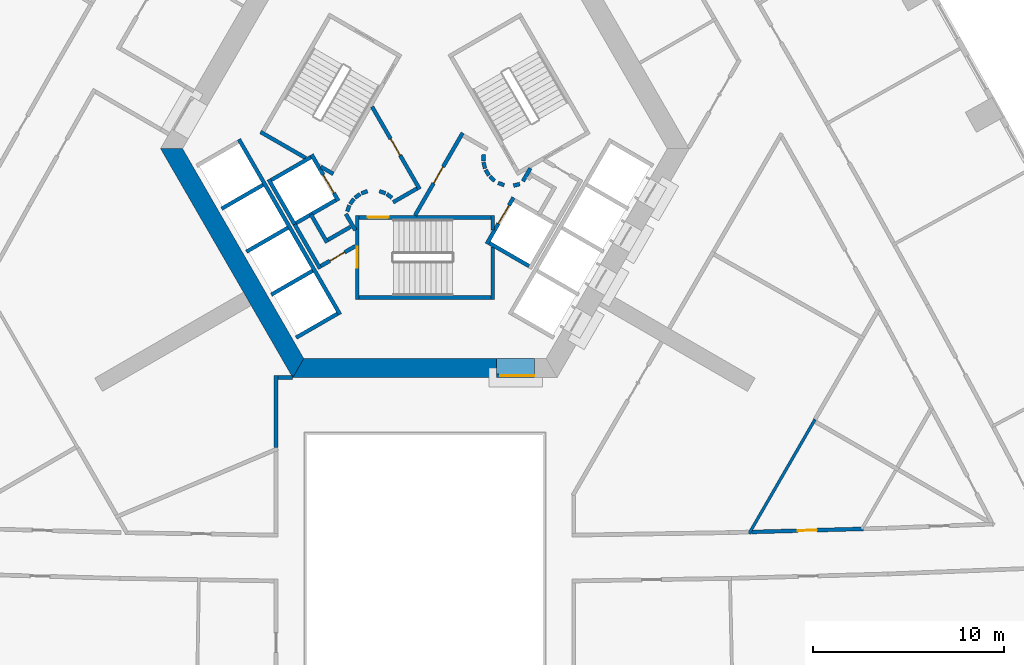
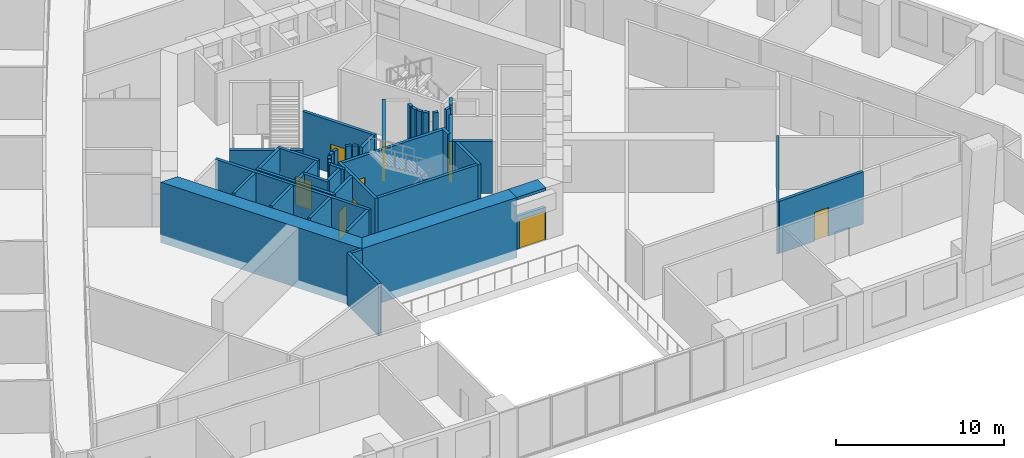
# One storey, part 6 of 15: 47 walls, 9 doors, 9 openings.
"""IFC4 building model written with IfcOpenShell, lengths in metres."""

from ifc_helpers import new_model, si_unit, direction, frame, frame_2d, origin, place, context, subcontext, project, spatial, polyline, rectangle, outline, extrude, material, layer, layer_set, type_object, element, fill, save


model = new_model("IFC4")

# Units and contexts
model_context = context("Model", 3, precision=1e-05, world=origin(), true_north=direction((0.0, 1.0)))
body_context = subcontext(model_context, "Body", "Model", "MODEL_VIEW")
ifc_project = project(units=[si_unit("LENGTHUNIT", "METRE"), si_unit("AREAUNIT", "SQUARE_METRE"), si_unit("VOLUMEUNIT", "CUBIC_METRE"), si_unit("PLANEANGLEUNIT", "RADIAN"), si_unit("MASSUNIT", "GRAM", prefix="KILO")], contexts=[model_context])

# Site, building, storey
site_placement = place(None, origin())
site = spatial("IfcSite", under=ifc_project, at=site_placement, CompositionType="ELEMENT")
building_placement = place(site_placement, origin())
building = spatial("IfcBuilding", under=site, at=building_placement, Name="Entoto Arch Interchange Tower", CompositionType="ELEMENT")
storey_placement = place(building_placement, frame((0.0, 0.0, 35.0)))
storey = spatial("IfcBuildingStorey", under=building, at=storey_placement, Name="L06", CompositionType="ELEMENT", Elevation=35.0)

# Wall, opening, door
ifc_material_1 = material(Name="Reinforced concrete C40/50", Category="concrete")
ifc_layer_1 = layer(ifc_material_1, 0.199951171875)
ifc_layer_set_1 = layer_set([ifc_layer_1], Name="Reinforced concrete C40/50")
wall_type_1 = type_object("IfcWallType", Name="CORE GAP INFILL WALL", PredefinedType="PARTITIONING", material=ifc_layer_set_1)
wall_1_placement = place(storey_placement, frame((3.75, -9.39990234375, 0.0), z_axis=(0.0, 0.0, 1.0), x_axis=(1.0, 0.0, 0.0)))
wall_1 = element("IfcWall", 1, at=wall_1_placement, inside=storey, type_object=wall_type_1, Name="wall:L06:gap1", PredefinedType="PARTITIONING", context=body_context, shape_type="SweptSolid", body=[
    extrude(rectangle(XDim=2.0, YDim=0.199951171875, at=frame_2d((1.0, 0.0))), origin(), (0.0, 0.0, 1.0), 2.39990234375),
])
opening_1_placement = place(wall_1_placement, frame((0.18994140625, 0.0, 0.0)))
opening_1 = element("IfcOpeningElement", 2, at=opening_1_placement, cuts=wall_1, Name="Opening L06-D91", PredefinedType="OPENING", context=body_context, shape_type="SweptSolid", body=[
    extrude(rectangle(XDim=1.800048828125, YDim=2.10009765625, at=frame_2d((0.89990234375, 1.050048828125))), frame((0.0, 0.10986328125, 0.0), z_axis=(0.0, -1.0, 0.0), x_axis=(1.0, 0.0, 0.0)), (0.0, 0.0, 1.0), 0.219970703125),
])
ifc_material_2 = material(Name="Fire-rated Steel S235 door and frame", Category="steel")
door_type_1 = type_object("IfcDoorType", Name="DOOR FD-18 1800x2100", OperationType="DOUBLE_DOOR_SINGLE_SWING", PredefinedType="DOOR", material=ifc_material_2)
door_1_placement = place(opening_1_placement, origin())
door_1 = element("IfcDoor", 3, at=door_1_placement, inside=storey, type_object=door_type_1, Name="door:L06:gap1", OperationType="DOUBLE_DOOR_SINGLE_SWING", OverallHeight=2.10009765625, OverallWidth=1.800048828125, PredefinedType="DOOR", context=body_context, shape_type="SweptSolid", body=[
    extrude(rectangle(XDim=1.800048828125, YDim=2.10009765625, at=frame_2d((0.89990234375, 1.050048828125))), frame((0.0, 0.02490234375, 0.0), z_axis=(0.0, -1.0, 0.0), x_axis=(1.0, 0.0, 0.0)), (0.0, 0.0, 1.0), 0.050048828125),
])
fill(opening_1, door_1)

# Walls
ifc_material_3 = material(Name="Concrete C60/75", Category="concrete")
ifc_layer_2 = layer(ifc_material_3, 1.0)
ifc_layer_set_2 = layer_set([ifc_layer_2], Name="Concrete C60/75")
wall_type_2 = type_object("IfcWallType", Name="Core wall 1000 C60/75", PredefinedType="SHEAR", material=ifc_layer_set_2)
wall_2_placement = place(storey_placement, frame((0.0, 0.0, -0.60009765625)))
element("IfcWall", 4, at=wall_2_placement, inside=storey, type_object=wall_type_2, Name="Core wall SW L06", PredefinedType="SHEAR", context=body_context, shape_type="SweptSolid", body=[
    extrude(outline(polyline([(-13.85595703125, 2.5), (-6.927978515625, -9.5), (-6.35107421875, -8.5), (-12.701904296875, 2.5), (-13.85595703125, 2.5)])), origin(), (0.0, 0.0, 1.0), 4.400146484375),
])
wall_3_placement = place(storey_placement, frame((0.0, 0.0, -0.60009765625)))
element("IfcWall", 5, at=wall_3_placement, inside=storey, type_object=wall_type_2, Name="Core wall S L06", PredefinedType="SHEAR", context=body_context, shape_type="SweptSolid", body=[
    extrude(outline(polyline([(3.75, -9.5), (3.75, -8.5), (-6.35107421875, -8.5), (-6.927978515625, -9.5), (3.75, -9.5)])), origin(), (0.0, 0.0, 1.0), 4.400146484375),
])
wall_4_placement = place(storey_placement, frame((0.0, 0.0, 3.60009765625)))
element("IfcWall", 6, at=wall_4_placement, inside=storey, type_object=wall_type_2, Name="Core wall lintel S L06", PredefinedType="SHEAR", context=body_context, shape_type="SweptSolid", body=[
    extrude(outline(polyline([(5.75, -9.5), (5.75, -8.5), (3.75, -8.5), (3.75, -9.5), (5.75, -9.5)])), origin(), (0.0, 0.0, 1.0), 0.199951171875),
])

# Wall, opening, door
ifc_material_4 = material(Name="Concrete C40/50", Category="concrete")
ifc_layer_3 = layer(ifc_material_4, 0.199951171875)
ifc_layer_set_3 = layer_set([ifc_layer_3], Name="Concrete C40/50")
wall_type_3 = type_object("IfcWallType", Name="LIFT SHAFT WALL 200", PredefinedType="STANDARD", material=ifc_layer_set_3)
wall_5_placement = place(storey_placement, frame((-5.93994140625, 2.18798828125, 0.0), z_axis=(0.0, 0.0, 1.0), x_axis=(0.49994636267, -0.866056369097, 0.0)))
wall_5 = element("IfcWall", 7, at=wall_5_placement, inside=storey, type_object=wall_type_3, Name="Shaft wall SW1 front", PredefinedType="STANDARD", context=body_context, shape_type="SweptSolid", body=[
    extrude(rectangle(XDim=2.800048828125, YDim=0.199951171875, at=frame_2d((1.39990234375, 0.0))), origin(), (0.0, 0.0, 1.0), 3.800048828125),
])
opening_2_placement = place(wall_5_placement, frame((1.22509765625, 0.0, 0.0)))
opening_2 = element("IfcOpeningElement", 8, at=opening_2_placement, cuts=wall_5, Name="Opening LD-FF2-L06", PredefinedType="OPENING", context=body_context, shape_type="SweptSolid", body=[
    extrude(rectangle(XDim=1.10009765625, YDim=2.10009765625, at=frame_2d((0.550048828125, 1.050048828125))), frame((0.0, 0.10986328125, 0.0), z_axis=(0.0, -1.0, 0.0), x_axis=(1.0, 0.0, 0.0)), (0.0, 0.0, 1.0), 0.219970703125),
])
ifc_material_5 = material(Name="Stainless steel 1.4301 panels", Category="steel")
door_type_2 = type_object("IfcDoorType", Name="LIFT LANDING DOOR LD1 1100x2100", OperationType="SLIDING_TO_LEFT", PredefinedType="DOOR", material=ifc_material_5)
door_2_placement = place(opening_2_placement, origin())
door_2 = element("IfcDoor", 9, at=door_2_placement, inside=storey, type_object=door_type_2, Name="Lift landing door FF2 L06", OperationType="SLIDING_TO_LEFT", OverallHeight=2.10009765625, OverallWidth=1.10009765625, PredefinedType="DOOR", context=body_context, shape_type="SweptSolid", body=[
    extrude(rectangle(XDim=1.10009765625, YDim=2.10009765625, at=frame_2d((0.550048828125, 1.050048828125))), frame((0.0, 0.02490234375, 0.0), z_axis=(0.0, -1.0, 0.0), x_axis=(1.0, 0.0, 0.0)), (0.0, 0.0, 1.0), 0.050048828125),
])
fill(opening_2, door_2)

# Walls
wall_6_placement = place(storey_placement, frame((-8.19189453125, 0.887939453125, 0.0), z_axis=(0.0, 0.0, 1.0), x_axis=(0.49994636267, -0.866056369097, 0.0)))
element("IfcWall", 10, at=wall_6_placement, inside=storey, type_object=wall_type_3, Name="Shaft wall SW1 back", PredefinedType="STANDARD", context=body_context, shape_type="SweptSolid", body=[
    extrude(rectangle(XDim=2.800048828125, YDim=0.199951171875, at=frame_2d((1.39990234375, 0.0))), origin(), (0.0, 0.0, 1.0), 3.800048828125),
])
for number, where, z_axis, x_axis, name in (
    (11, (-5.97705078125, 2.052001953125, 0.0), (0.0, 0.0, 1.0), (-0.865973769406, -0.500089422704, 0.0), "Shaft wall SW1 cross 1"),
    (12, (-4.677001953125, -0.199951171875, 0.0), (0.0, 0.0, 1.0), (-0.865973769406, -0.500089422704, 0.0), "Shaft wall SW1 cross 2"),
):
    element("IfcWall", number, at=place(storey_placement, frame(where, z_axis=z_axis, x_axis=x_axis)), inside=storey, type_object=wall_type_3, Name=name, PredefinedType="STANDARD", context=body_context, shape_type="SweptSolid", body=[
        extrude(rectangle(XDim=2.3994140625, YDim=0.199951171875, at=frame_2d((1.19970703125, 0.0))), origin(), (0.0, 0.0, 1.0), 3.800048828125),
    ])
wall_7_placement = place(storey_placement, frame((-9.7509765625, 2.989990234375, 0.0), z_axis=(0.0, 0.0, 1.0), x_axis=(0.50000090737, -0.866024879913, 0.0)))
element("IfcWall", 13, at=wall_7_placement, inside=storey, type_object=wall_type_3, Name="Shaft wall SW3 front", PredefinedType="STANDARD", context=body_context, shape_type="SweptSolid", body=[
    extrude(rectangle(XDim=10.60009765625, YDim=0.199951171875, at=frame_2d((5.300048828125, 0.0))), origin(), (0.0, 0.0, 1.0), 3.800048828125),
])
for number, where, z_axis, x_axis, name in (
    (14, (-8.488037109375, 0.60205078125, 0.0), (0.0, 0.0, 1.0), (-0.866022959057, -0.500004234368, 0.0), "Shaft wall SW3 cross 2"),
    (15, (-7.18798828125, -1.64990234375, 0.0), (0.0, 0.0, 1.0), (-0.866022959057, -0.500004234368, 0.0), "Shaft wall SW3 cross 3"),
    (16, (-5.887939453125, -3.902099609375, 0.0), (0.0, 0.0, 1.0), (-0.866022959057, -0.500004234368, 0.0), "Shaft wall SW3 cross 4"),
    (17, (-4.587890625, -6.153076171875, 0.0), (0.0, 0.0, 1.0), (-0.866022959057, -0.500004234368, 0.0), "Shaft wall SW3 cross 5"),
):
    element("IfcWall", number, at=place(storey_placement, frame(where, z_axis=z_axis, x_axis=x_axis)), inside=storey, type_object=wall_type_3, Name=name, PredefinedType="STANDARD", context=body_context, shape_type="SweptSolid", body=[
        extrude(rectangle(XDim=2.5, YDim=0.199951171875, at=frame_2d((1.25, 0.0))), origin(), (0.0, 0.0, 1.0), 3.800048828125),
    ])

# Wall, opening, door
wall_8_placement = place(storey_placement, frame((3.239990234375, -2.488037109375, 0.0), z_axis=(0.0, 0.0, 1.0), x_axis=(0.49994636267, 0.866056369097, 0.0)))
wall_8 = element("IfcWall", 18, at=wall_8_placement, inside=storey, type_object=wall_type_3, Name="Shaft wall SE1 front", PredefinedType="STANDARD", context=body_context, shape_type="SweptSolid", body=[
    extrude(rectangle(XDim=2.800048828125, YDim=0.199951171875, at=frame_2d((1.39990234375, 0.0))), origin(), (0.0, 0.0, 1.0), 3.800048828125),
])
opening_3_placement = place(wall_8_placement, frame((1.22509765625, 0.0, 0.0)))
opening_3 = element("IfcOpeningElement", 19, at=opening_3_placement, cuts=wall_8, Name="Opening LD-FF1-L06", PredefinedType="OPENING", context=body_context, shape_type="SweptSolid", body=[
    extrude(rectangle(XDim=1.10009765625, YDim=2.10009765625, at=frame_2d((0.550048828125, 1.050048828125))), frame((0.0, 0.10986328125, 0.0), z_axis=(0.0, -1.0, 0.0), x_axis=(1.0, 0.0, 0.0)), (0.0, 0.0, 1.0), 0.219970703125),
])
door_3_placement = place(opening_3_placement, origin())
door_3 = element("IfcDoor", 20, at=door_3_placement, inside=storey, type_object=door_type_2, Name="Lift landing door FF1 L06", OperationType="SLIDING_TO_LEFT", OverallHeight=2.10009765625, OverallWidth=1.10009765625, PredefinedType="DOOR", context=body_context, shape_type="SweptSolid", body=[
    extrude(rectangle(XDim=1.10009765625, YDim=2.10009765625, at=frame_2d((0.550048828125, 1.050048828125))), frame((0.0, 0.02490234375, 0.0), z_axis=(0.0, -1.0, 0.0), x_axis=(1.0, 0.0, 0.0)), (0.0, 0.0, 1.0), 0.050048828125),
])
fill(opening_3, door_3)

# Walls
wall_9_placement = place(storey_placement, frame((3.376953125, -2.451904296875, 0.0), z_axis=(0.0, 0.0, 1.0), x_axis=(0.865955154139, -0.50012165622, 0.0)))
element("IfcWall", 21, at=wall_9_placement, inside=storey, type_object=wall_type_3, Name="Shaft wall SE1 cross 1", PredefinedType="STANDARD", context=body_context, shape_type="SweptSolid", body=[
    extrude(rectangle(XDim=2.39990234375, YDim=0.199951171875, at=frame_2d((1.199951171875, 0.0))), origin(), (0.0, 0.0, 1.0), 3.800048828125),
])
ifc_material_6 = material(Name="Gypsum board partition on steel studs", Category="steel")
ifc_layer_4 = layer(ifc_material_6, 0.14990234375)
ifc_layer_set_4 = layer_set([ifc_layer_4], Name="Gypsum board partition on steel studs")
wall_type_4 = type_object("IfcWallType", Name="PARTITION 150", PredefinedType="PARTITIONING", material=ifc_layer_set_4)
wall_10_placement = place(storey_placement, frame((20.445068359375, -11.68798828125, 0.0), z_axis=(0.0, 0.0, 1.0), x_axis=(-0.500010633597, -0.866019264387, 0.0)))
element("IfcWall", 22, at=wall_10_placement, inside=storey, type_object=wall_type_4, Name="wall:L06:p114", PredefinedType="PARTITIONING", context=body_context, shape_type="SweptSolid", body=[
    extrude(rectangle(XDim=6.917724609375, YDim=0.14990234375, at=frame_2d((3.458984375, 0.0))), origin(), (0.0, 0.0, 1.0), 3.800048828125),
])

# Wall, opening, door
ifc_layer_5 = layer(ifc_material_6, 0.199951171875)
ifc_layer_set_5 = layer_set([ifc_layer_5], Name="Gypsum board partition on steel studs")
wall_type_5 = type_object("IfcWallType", Name="PARTITION 200", PredefinedType="PARTITIONING", material=ifc_layer_set_5)
wall_11_placement = place(storey_placement, frame((17.111083984375, -17.591064453125, 0.0), z_axis=(0.0, 0.0, 1.0), x_axis=(0.99960470841, 0.028114532261, 0.0)))
wall_11 = element("IfcWall", 23, at=wall_11_placement, inside=storey, type_object=wall_type_5, Name="wall:L06:p018", PredefinedType="PARTITIONING", context=body_context, shape_type="SweptSolid", body=[
    extrude(rectangle(XDim=5.870361328125, YDim=0.199951171875, at=frame_2d((2.93505859375, 0.0))), origin(), (0.0, 0.0, 1.0), 3.800048828125),
])
opening_4_placement = place(wall_11_placement, frame((2.43505859375, 0.0, 0.0)))
opening_4 = element("IfcOpeningElement", 24, at=opening_4_placement, cuts=wall_11, Name="Opening L06-D25", PredefinedType="OPENING", context=body_context, shape_type="SweptSolid", body=[
    extrude(rectangle(XDim=1.0, YDim=2.10009765625, at=frame_2d((0.5, 1.050048828125))), frame((0.0, 0.10986328125, 0.0), z_axis=(0.0, -1.0, 0.0), x_axis=(1.0, 0.0, 0.0)), (0.0, 0.0, 1.0), 0.219970703125),
])
ifc_material_7 = material(Name="Timber door leaf in Steel S235 frame", Category="steel")
door_type_3 = type_object("IfcDoorType", Name="DOOR DS-10 1000x2100", OperationType="SINGLE_SWING_LEFT", PredefinedType="DOOR", material=ifc_material_7)
door_4_placement = place(opening_4_placement, origin())
door_4 = element("IfcDoor", 25, at=door_4_placement, inside=storey, type_object=door_type_3, Name="door:L06:25", OperationType="SINGLE_SWING_LEFT", OverallHeight=2.10009765625, OverallWidth=1.0, PredefinedType="DOOR", context=body_context, shape_type="SweptSolid", body=[
    extrude(rectangle(XDim=1.0, YDim=2.10009765625, at=frame_2d((0.5, 1.050048828125))), frame((0.0, 0.02490234375, 0.0), z_axis=(0.0, -1.0, 0.0), x_axis=(1.0, 0.0, 0.0)), (0.0, 0.0, 1.0), 0.050048828125),
])
fill(opening_4, door_4)

# Walls
wall_12_placement = place(storey_placement, frame((5.135009765625, 0.79296875, 0.0), z_axis=(0.0, 0.0, 1.0), x_axis=(0.499526442893, 0.866298639529, 0.0)))
element("IfcWall", 26, at=wall_12_placement, inside=storey, type_object=wall_type_5, Name="wall:L06:p078", PredefinedType="PARTITIONING", context=body_context, shape_type="SweptSolid", body=[
    extrude(rectangle(XDim=0.790771484375, YDim=0.199951171875, at=frame_2d((0.3955078125, 0.0))), origin(), (0.0, 0.0, 1.0), 3.800048828125),
])
wall_13_placement = place(storey_placement, frame((-3.89990234375, -1.59912109375, 0.0), z_axis=(0.0, 0.0, 1.0), x_axis=(-0.865969445389, -0.500096910261, 0.0)))
element("IfcWall", 27, at=wall_13_placement, inside=storey, type_object=wall_type_5, Name="wall:L06:p079", PredefinedType="PARTITIONING", context=body_context, shape_type="SweptSolid", body=[
    extrude(rectangle(XDim=1.373291015625, YDim=0.199951171875, at=frame_2d((0.6865234375, 0.0))), origin(), (0.0, 0.0, 1.0), 3.800048828125),
])
wall_14_placement = place(storey_placement, frame((-5.1259765625, -2.422119140625, 0.0), z_axis=(0.0, 0.0, 1.0), x_axis=(-0.500062241894, 0.865989465428, 0.0)))
element("IfcWall", 28, at=wall_14_placement, inside=storey, type_object=wall_type_5, Name="wall:L06:p080", PredefinedType="PARTITIONING", context=body_context, shape_type="SweptSolid", body=[
    extrude(rectangle(XDim=1.699951171875, YDim=0.199951171875, at=frame_2d((0.85009765625, 0.0))), origin(), (0.0, 0.0, 1.0), 3.800048828125),
])

# Wall, opening, door
wall_15_placement = place(storey_placement, frame((-3.64990234375, -2.610107421875, 0.0), z_axis=(0.0, 0.0, 1.0), x_axis=(-0.866072462134, -0.499918483688, 0.0)))
wall_15 = element("IfcWall", 29, at=wall_15_placement, inside=storey, type_object=wall_type_5, Name="wall:L06:p081", PredefinedType="PARTITIONING", context=body_context, shape_type="SweptSolid", body=[
    extrude(rectangle(XDim=2.084228515625, YDim=0.199951171875, at=frame_2d((1.0419921875, 0.0))), origin(), (0.0, 0.0, 1.0), 3.800048828125),
])
opening_5_placement = place(wall_15_placement, frame((0.64208984375, 0.0, 0.0)))
opening_5 = element("IfcOpeningElement", 30, at=opening_5_placement, cuts=wall_15, Name="Opening L06-D41", PredefinedType="OPENING", context=body_context, shape_type="SweptSolid", body=[
    extrude(rectangle(XDim=0.89990234375, YDim=2.10009765625, at=frame_2d((0.449951171875, 1.050048828125))), frame((0.0, 0.10986328125, 0.0), z_axis=(0.0, -1.0, 0.0), x_axis=(1.0, 0.0, 0.0)), (0.0, 0.0, 1.0), 0.219970703125),
])
door_type_4 = type_object("IfcDoorType", Name="DOOR DS-09 900x2100", OperationType="SINGLE_SWING_LEFT", PredefinedType="DOOR", material=ifc_material_7)
door_5_placement = place(opening_5_placement, origin())
door_5 = element("IfcDoor", 31, at=door_5_placement, inside=storey, type_object=door_type_4, Name="door:L06:41", OperationType="SINGLE_SWING_LEFT", OverallHeight=2.10009765625, OverallWidth=0.89990234375, PredefinedType="DOOR", context=body_context, shape_type="SweptSolid", body=[
    extrude(rectangle(XDim=0.89990234375, YDim=2.10009765625, at=frame_2d((0.449951171875, 1.050048828125))), frame((0.0, 0.02490234375, 0.0), z_axis=(0.0, -1.0, 0.0), x_axis=(1.0, 0.0, 0.0)), (0.0, 0.0, 1.0), 0.050048828125),
])
fill(opening_5, door_5)

# Walls
wall_16_placement = place(storey_placement, frame((-5.491943359375, -3.7880859375, 0.0), z_axis=(0.0, 0.0, 1.0), x_axis=(-0.500008949224, 0.866020236886, 0.0)))
element("IfcWall", 32, at=wall_16_placement, inside=storey, type_object=wall_type_5, Name="wall:L06:p082", PredefinedType="PARTITIONING", context=body_context, shape_type="SweptSolid", body=[
    extrude(rectangle(XDim=2.68017578125, YDim=0.199951171875, at=frame_2d((1.340087890625, 0.0))), origin(), (0.0, 0.0, 1.0), 3.800048828125),
])
wall_17_placement = place(storey_placement, frame((-4.14501953125, -0.919921875, 0.0), z_axis=(0.0, 0.0, 1.0), x_axis=(0.499743786207, -0.866173278362, 0.0)))
element("IfcWall", 33, at=wall_17_placement, inside=storey, type_object=wall_type_5, Name="wall:L06:p083", PredefinedType="PARTITIONING", context=body_context, shape_type="SweptSolid", body=[
    extrude(rectangle(XDim=0.99072265625, YDim=0.199951171875, at=frame_2d((0.495361328125, 0.0))), origin(), (0.0, 0.0, 1.0), 3.800048828125),
])

# Wall, opening, door
wall_18_placement = place(storey_placement, frame((-0.52001953125, -1.0, 0.0), z_axis=(0.0, 0.0, 1.0), x_axis=(0.50011622646, 0.865958290007, 0.0)))
wall_18 = element("IfcWall", 34, at=wall_18_placement, inside=storey, type_object=wall_type_5, Name="wall:L06:p088", PredefinedType="PARTITIONING", context=body_context, shape_type="SweptSolid", body=[
    extrude(rectangle(XDim=4.990966796875, YDim=0.199951171875, at=frame_2d((2.49560546875, 0.0))), origin(), (0.0, 0.0, 1.0), 3.800048828125),
])
opening_6_placement = place(wall_18_placement, frame((1.945068359375, 0.0, 0.0)))
opening_6 = element("IfcOpeningElement", 35, at=opening_6_placement, cuts=wall_18, Name="Opening L06-D38", PredefinedType="OPENING", context=body_context, shape_type="SweptSolid", body=[
    extrude(rectangle(XDim=1.0, YDim=2.10009765625, at=frame_2d((0.5, 1.050048828125))), frame((0.0, 0.10986328125, 0.0), z_axis=(0.0, -1.0, 0.0), x_axis=(1.0, 0.0, 0.0)), (0.0, 0.0, 1.0), 0.219970703125),
])
door_type_5 = type_object("IfcDoorType", Name="DOOR FD-10 1000x2100", OperationType="SINGLE_SWING_LEFT", PredefinedType="DOOR", material=ifc_material_2)
door_6_placement = place(opening_6_placement, origin())
door_6 = element("IfcDoor", 36, at=door_6_placement, inside=storey, type_object=door_type_5, Name="door:L06:38", OperationType="SINGLE_SWING_LEFT", OverallHeight=2.10009765625, OverallWidth=1.0, PredefinedType="DOOR", context=body_context, shape_type="SweptSolid", body=[
    extrude(rectangle(XDim=1.0, YDim=2.10009765625, at=frame_2d((0.5, 1.050048828125))), frame((0.0, 0.02490234375, 0.0), z_axis=(0.0, -1.0, 0.0), x_axis=(1.0, 0.0, 0.0)), (0.0, 0.0, 1.0), 0.050048828125),
])
fill(opening_6, door_6)

# Walls
wall_19_placement = place(storey_placement, frame((3.0791015625, 2.198974609375, 0.0), z_axis=(0.0, 0.0, 1.0), x_axis=(-0.047771483479, -0.998858290933, 0.0)))
element("IfcWall", 37, at=wall_19_placement, inside=storey, type_object=wall_type_5, Name="wall:L06:p090", PredefinedType="PARTITIONING", context=body_context, shape_type="SweptSolid", body=[
    extrude(rectangle(XDim=0.33740234375, YDim=0.199951171875, at=frame_2d((0.168701171875, 0.0))), origin(), (0.0, 0.0, 1.0), 3.800048828125),
])
wall_20_placement = place(storey_placement, frame((3.070068359375, 1.785888671875, 0.0), z_axis=(0.0, 0.0, 1.0), x_axis=(0.242705583207, -0.970099994784, 0.0)))
element("IfcWall", 38, at=wall_20_placement, inside=storey, type_object=wall_type_5, Name="wall:L06:p091", PredefinedType="PARTITIONING", context=body_context, shape_type="SweptSolid", body=[
    extrude(rectangle(XDim=0.337890625, YDim=0.199951171875, at=frame_2d((0.1689453125, 0.0))), origin(), (0.0, 0.0, 1.0), 3.800048828125),
])
for number, where, z_axis, x_axis, name in (
    (39, (3.181884765625, 1.387939453125, 0.0), (0.0, 0.0, 1.0), (0.512474702713, -0.85870232274, 0.0), "wall:L06:p092"),
    (40, (3.404052734375, 1.0390625, 0.0), (0.0, 0.0, 1.0), (0.740267097712, -0.672312891476, 0.0), "wall:L06:p093"),
):
    element("IfcWall", number, at=place(storey_placement, frame(where, z_axis=z_axis, x_axis=x_axis)), inside=storey, type_object=wall_type_5, Name=name, PredefinedType="PARTITIONING", context=body_context, shape_type="SweptSolid", body=[
        extrude(rectangle(XDim=0.337646484375, YDim=0.199951171875, at=frame_2d((0.1689453125, 0.0))), origin(), (0.0, 0.0, 1.0), 3.800048828125),
    ])
wall_21_placement = place(storey_placement, frame((3.837890625, 0.701904296875, 0.0), z_axis=(0.0, 0.0, 1.0), x_axis=(0.941035081519, -0.338308993895, 0.0)))
element("IfcWall", 41, at=wall_21_placement, inside=storey, type_object=wall_type_5, Name="wall:L06:p094", PredefinedType="PARTITIONING", context=body_context, shape_type="SweptSolid", body=[
    extrude(rectangle(XDim=0.3369140625, YDim=0.199951171875, at=frame_2d((0.16845703125, 0.0))), origin(), (0.0, 0.0, 1.0), 3.800048828125),
])
wall_22_placement = place(storey_placement, frame((4.64404296875, 0.56396484375, 0.0), z_axis=(0.0, 0.0, 1.0), x_axis=(0.969929076366, 0.243387729394, 0.0)))
element("IfcWall", 42, at=wall_22_placement, inside=storey, type_object=wall_type_5, Name="wall:L06:p095", PredefinedType="PARTITIONING", context=body_context, shape_type="SweptSolid", body=[
    extrude(rectangle(XDim=0.337158203125, YDim=0.199951171875, at=frame_2d((0.16845703125, 0.0))), origin(), (0.0, 0.0, 1.0), 3.800048828125),
])

# Wall, opening, door
wall_23_placement = place(storey_placement, frame((-2.77099609375, 4.699951171875, 0.0), z_axis=(0.0, 0.0, 1.0), x_axis=(0.499969479948, -0.866043023828, 0.0)))
wall_23 = element("IfcWall", 43, at=wall_23_placement, inside=storey, type_object=wall_type_5, Name="wall:L06:p096", PredefinedType="PARTITIONING", context=body_context, shape_type="SweptSolid", body=[
    extrude(rectangle(XDim=4.990478515625, YDim=0.199951171875, at=frame_2d((2.4951171875, 0.0))), origin(), (0.0, 0.0, 1.0), 3.800048828125),
])
opening_7_placement = place(wall_23_placement, frame((1.945068359375, 0.0, 0.0)))
opening_7 = element("IfcOpeningElement", 44, at=opening_7_placement, cuts=wall_23, Name="Opening L06-D39", PredefinedType="OPENING", context=body_context, shape_type="SweptSolid", body=[
    extrude(rectangle(XDim=1.0, YDim=2.10009765625, at=frame_2d((0.5, 1.050048828125))), frame((0.0, 0.10986328125, 0.0), z_axis=(0.0, -1.0, 0.0), x_axis=(1.0, 0.0, 0.0)), (0.0, 0.0, 1.0), 0.219970703125),
])
door_7_placement = place(opening_7_placement, origin())
door_7 = element("IfcDoor", 45, at=door_7_placement, inside=storey, type_object=door_type_5, Name="door:L06:39", OperationType="SINGLE_SWING_RIGHT", OverallHeight=2.10009765625, OverallWidth=1.0, PredefinedType="DOOR", context=body_context, shape_type="SweptSolid", body=[
    extrude(rectangle(XDim=1.0, YDim=2.10009765625, at=frame_2d((0.5, 1.050048828125))), frame((0.0, 0.02490234375, 0.0), z_axis=(0.0, -1.0, 0.0), x_axis=(1.0, 0.0, 0.0)), (0.0, 0.0, 1.0), 0.050048828125),
])
fill(opening_7, door_7)

# Walls
wall_24_placement = place(storey_placement, frame((-0.412109375, 0.4140625, 0.0), z_axis=(0.0, 0.0, 1.0), x_axis=(-0.866017369001, -0.500013916395, 0.0)))
element("IfcWall", 46, at=wall_24_placement, inside=storey, type_object=wall_type_5, Name="wall:L06:p097", PredefinedType="PARTITIONING", context=body_context, shape_type="SweptSolid", body=[
    extrude(rectangle(XDim=1.4501953125, YDim=0.199951171875, at=frame_2d((0.72509765625, 0.0))), origin(), (0.0, 0.0, 1.0), 3.800048828125),
])
wall_25_placement = place(storey_placement, frame((-1.73095703125, -0.076904296875, 0.0), z_axis=(0.0, 0.0, 1.0), x_axis=(-0.804311165252, 0.594208338422, 0.0)))
element("IfcWall", 47, at=wall_25_placement, inside=storey, type_object=wall_type_5, Name="wall:L06:p098", PredefinedType="PARTITIONING", context=body_context, shape_type="SweptSolid", body=[
    extrude(rectangle(XDim=0.338134765625, YDim=0.199951171875, at=frame_2d((0.1689453125, 0.0))), origin(), (0.0, 0.0, 1.0), 3.800048828125),
])
wall_26_placement = place(storey_placement, frame((-2.070068359375, 0.159912109375, 0.0), z_axis=(0.0, 0.0, 1.0), x_axis=(-0.942199461132, 0.335052496547, 0.0)))
element("IfcWall", 48, at=wall_26_placement, inside=storey, type_object=wall_type_5, Name="wall:L06:p099", PredefinedType="PARTITIONING", context=body_context, shape_type="SweptSolid", body=[
    extrude(rectangle(XDim=0.33740234375, YDim=0.199951171875, at=frame_2d((0.168701171875, 0.0))), origin(), (0.0, 0.0, 1.0), 3.800048828125),
])
wall_27_placement = place(storey_placement, frame((-3.011962890625, 0.27294921875, 0.0), z_axis=(0.0, 0.0, 1.0), x_axis=(-0.942280615813, -0.334824194261, 0.0)))
element("IfcWall", 49, at=wall_27_placement, inside=storey, type_object=wall_type_5, Name="wall:L06:p100", PredefinedType="PARTITIONING", context=body_context, shape_type="SweptSolid", body=[
    extrude(rectangle(XDim=0.337646484375, YDim=0.199951171875, at=frame_2d((0.1689453125, 0.0))), origin(), (0.0, 0.0, 1.0), 3.800048828125),
])
wall_28_placement = place(storey_placement, frame((-3.39697265625, 0.1240234375, 0.0), z_axis=(0.0, 0.0, 1.0), x_axis=(-0.804311165252, -0.594208338422, 0.0)))
element("IfcWall", 50, at=wall_28_placement, inside=storey, type_object=wall_type_5, Name="wall:L06:p101", PredefinedType="PARTITIONING", context=body_context, shape_type="SweptSolid", body=[
    extrude(rectangle(XDim=0.338134765625, YDim=0.199951171875, at=frame_2d((0.1689453125, 0.0))), origin(), (0.0, 0.0, 1.0), 3.800048828125),
])
wall_29_placement = place(storey_placement, frame((-3.722900390625, -0.131103515625, 0.0), z_axis=(0.0, 0.0, 1.0), x_axis=(-0.594675113454, -0.803966112121, 0.0)))
element("IfcWall", 51, at=wall_29_placement, inside=storey, type_object=wall_type_5, Name="wall:L06:p102", PredefinedType="PARTITIONING", context=body_context, shape_type="SweptSolid", body=[
    extrude(rectangle(XDim=0.33837890625, YDim=0.199951171875, at=frame_2d((0.169189453125, 0.0))), origin(), (0.0, 0.0, 1.0), 3.800048828125),
])
wall_30_placement = place(storey_placement, frame((-3.9599609375, -0.469970703125, 0.0), z_axis=(0.0, 0.0, 1.0), x_axis=(-0.334824194261, -0.942280615813, 0.0)))
element("IfcWall", 52, at=wall_30_placement, inside=storey, type_object=wall_type_5, Name="wall:L06:p103", PredefinedType="PARTITIONING", context=body_context, shape_type="SweptSolid", body=[
    extrude(rectangle(XDim=0.337646484375, YDim=0.199951171875, at=frame_2d((0.1689453125, 0.0))), origin(), (0.0, 0.0, 1.0), 3.800048828125),
])
wall_31_placement = place(storey_placement, frame((-7.800048828125, -13.160888671875, 0.0), z_axis=(0.0, 0.0, 1.0), x_axis=(0.0, 1.0, 0.0)))
element("IfcWall", 53, at=wall_31_placement, inside=storey, type_object=wall_type_5, Name="wall:L06:p105", PredefinedType="PARTITIONING", context=body_context, shape_type="SweptSolid", body=[
    extrude(rectangle(XDim=3.761962890625, YDim=0.199951171875, at=frame_2d((1.880859375, 0.0))), origin(), (0.0, 0.0, 1.0), 3.800048828125),
])
wall_32_placement = place(storey_placement, frame((-7.699951171875, -9.4990234375, 0.0), z_axis=(0.0, 0.0, 1.0), x_axis=(1.0, 0.0, 0.0)))
element("IfcWall", 54, at=wall_32_placement, inside=storey, type_object=wall_type_5, Name="wall:L06:p106", PredefinedType="PARTITIONING", context=body_context, shape_type="SweptSolid", body=[
    extrude(rectangle(XDim=0.77099609375, YDim=0.199951171875, at=frame_2d((0.385498046875, 0.0))), origin(), (0.0, 0.0, 1.0), 3.800048828125),
])

# Wall, opening, door
ifc_layer_6 = layer(ifc_material_4, 0.199951171875)
ifc_layer_set_6 = layer_set([ifc_layer_6], Name="Concrete C40/50")
wall_type_6 = type_object("IfcWallType", Name="STAIR ENCLOSURE WALL 200", PredefinedType="STANDARD", material=ifc_layer_set_6)
wall_33_placement = place(storey_placement, frame((-3.550048828125, -1.0, 0.0), z_axis=(0.0, 0.0, 1.0), x_axis=(0.0, -1.0, 0.0)))
wall_33 = element("IfcWall", 55, at=wall_33_placement, inside=storey, type_object=wall_type_6, Name="Stair wall ST-S near", PredefinedType="STANDARD", context=body_context, shape_type="SweptSolid", body=[
    extrude(rectangle(XDim=4.39990234375, YDim=0.199951171875, at=frame_2d((2.199951171875, 0.0))), origin(), (0.0, 0.0, 1.0), 3.800048828125),
])
opening_8_placement = place(wall_33_placement, frame((1.64990234375, 0.0, 0.0)))
opening_8 = element("IfcOpeningElement", 56, at=opening_8_placement, cuts=wall_33, Name="Opening SD-ST-S-L06-E", PredefinedType="OPENING", context=body_context, shape_type="SweptSolid", body=[
    extrude(rectangle(XDim=1.10009765625, YDim=2.199951171875, at=frame_2d((0.550048828125, 1.10009765625))), frame((0.0, 0.10986328125, 0.0), z_axis=(0.0, -1.0, 0.0), x_axis=(1.0, 0.0, 0.0)), (0.0, 0.0, 1.0), 0.219970703125),
])
ifc_material_8 = material(Name="Steel S235", Category="steel")
door_type_6 = type_object("IfcDoorType", Name="STAIR DOOR SD1 1100x2200", OperationType="SINGLE_SWING_LEFT", PredefinedType="DOOR", material=ifc_material_8)
door_8_placement = place(opening_8_placement, origin())
door_8 = element("IfcDoor", 57, at=door_8_placement, inside=storey, type_object=door_type_6, Name="Stair door ST-S L06 end", OperationType="SINGLE_SWING_LEFT", OverallHeight=2.199951171875, OverallWidth=1.10009765625, PredefinedType="DOOR", context=body_context, shape_type="SweptSolid", body=[
    extrude(rectangle(XDim=1.10009765625, YDim=2.199951171875, at=frame_2d((0.550048828125, 1.10009765625))), frame((0.0, 0.02490234375, 0.0), z_axis=(0.0, -1.0, 0.0), x_axis=(1.0, 0.0, 0.0)), (0.0, 0.0, 1.0), 0.050048828125),
])
fill(opening_8, door_8)

# Walls
wall_34_placement = place(storey_placement, frame((3.550048828125, -2.6669921875, 0.0), z_axis=(0.0, 0.0, 1.0), x_axis=(0.0, -1.0, 0.0)))
element("IfcWall", 58, at=wall_34_placement, inside=storey, type_object=wall_type_6, Name="Stair wall ST-S far", PredefinedType="STANDARD", context=body_context, shape_type="SweptSolid", body=[
    extrude(rectangle(XDim=2.73291015625, YDim=0.199951171875, at=frame_2d((1.366455078125, 0.0))), origin(), (0.0, 0.0, 1.0), 3.800048828125),
])
wall_35_placement = place(storey_placement, frame((3.550048828125, -1.0, 0.0), z_axis=(0.0, 0.0, 1.0), x_axis=(0.0, -1.0, 0.0)))
element("IfcWall", 59, at=wall_35_placement, inside=storey, type_object=wall_type_6, Name="Stair wall ST-S far return", PredefinedType="STANDARD", context=body_context, shape_type="SweptSolid", body=[
    extrude(rectangle(XDim=0.7509765625, YDim=0.199951171875, at=frame_2d((0.37548828125, 0.0))), origin(), (0.0, 0.0, 1.0), 3.800048828125),
])

# Wall, opening, door
wall_36_placement = place(storey_placement, frame((-3.449951171875, -1.10009765625, 0.0), z_axis=(0.0, 0.0, 1.0), x_axis=(1.0, 0.0, 0.0)))
wall_36 = element("IfcWall", 60, at=wall_36_placement, inside=storey, type_object=wall_type_6, Name="Stair wall ST-S hall", PredefinedType="STANDARD", context=body_context, shape_type="SweptSolid", body=[
    extrude(rectangle(XDim=6.89990234375, YDim=0.199951171875, at=frame_2d((3.449951171875, 0.0))), origin(), (0.0, 0.0, 1.0), 3.800048828125),
])
opening_9_placement = place(wall_36_placement, frame((0.449951171875, 0.0, 0.0)))
opening_9 = element("IfcOpeningElement", 61, at=opening_9_placement, cuts=wall_36, Name="Opening SD-ST-S-L06", PredefinedType="OPENING", context=body_context, shape_type="SweptSolid", body=[
    extrude(rectangle(XDim=1.10009765625, YDim=2.199951171875, at=frame_2d((0.550048828125, 1.10009765625))), frame((0.0, 0.10986328125, 0.0), z_axis=(0.0, -1.0, 0.0), x_axis=(1.0, 0.0, 0.0)), (0.0, 0.0, 1.0), 0.219970703125),
])
door_9_placement = place(opening_9_placement, origin())
door_9 = element("IfcDoor", 62, at=door_9_placement, inside=storey, type_object=door_type_6, Name="Stair door ST-S L06", OperationType="SINGLE_SWING_LEFT", OverallHeight=2.199951171875, OverallWidth=1.10009765625, PredefinedType="DOOR", context=body_context, shape_type="SweptSolid", body=[
    extrude(rectangle(XDim=1.10009765625, YDim=2.199951171875, at=frame_2d((0.550048828125, 1.10009765625))), frame((0.0, 0.02490234375, 0.0), z_axis=(0.0, -1.0, 0.0), x_axis=(1.0, 0.0, 0.0)), (0.0, 0.0, 1.0), 0.050048828125),
])
fill(opening_9, door_9)

# Walls
wall_37_placement = place(storey_placement, frame((-3.449951171875, -5.300048828125, 0.0), z_axis=(0.0, 0.0, 1.0), x_axis=(1.0, 0.0, 0.0)))
element("IfcWall", 63, at=wall_37_placement, inside=storey, type_object=wall_type_6, Name="Stair wall ST-S back", PredefinedType="STANDARD", context=body_context, shape_type="SweptSolid", body=[
    extrude(rectangle(XDim=6.89990234375, YDim=0.199951171875, at=frame_2d((3.449951171875, 0.0))), origin(), (0.0, 0.0, 1.0), 3.800048828125),
])
wall_38_placement = place(storey_placement, frame((-6.25, 2.010009765625, 0.0), z_axis=(0.0, 0.0, 1.0), x_axis=(-0.86611865017, 0.499838457731, 0.0)))
element("IfcWall", 64, at=wall_38_placement, inside=storey, type_object=wall_type_6, Name="Stair wall ST-NW far", PredefinedType="STANDARD", context=body_context, shape_type="SweptSolid", body=[
    extrude(rectangle(XDim=2.73291015625, YDim=0.199951171875, at=frame_2d((1.366455078125, 0.0))), origin(), (0.0, 0.0, 1.0), 3.800048828125),
])
wall_39_placement = place(storey_placement, frame((-4.805908203125, 1.176025390625, 0.0), z_axis=(0.0, 0.0, 1.0), x_axis=(-0.866558586415, 0.499075361355, 0.0)))
element("IfcWall", 65, at=wall_39_placement, inside=storey, type_object=wall_type_6, Name="Stair wall ST-NW far return", PredefinedType="STANDARD", context=body_context, shape_type="SweptSolid", body=[
    extrude(rectangle(XDim=0.75146484375, YDim=0.199951171875, at=frame_2d((0.375732421875, 0.0))), origin(), (0.0, 0.0, 1.0), 3.800048828125),
])

save(model, "model.ifc")
